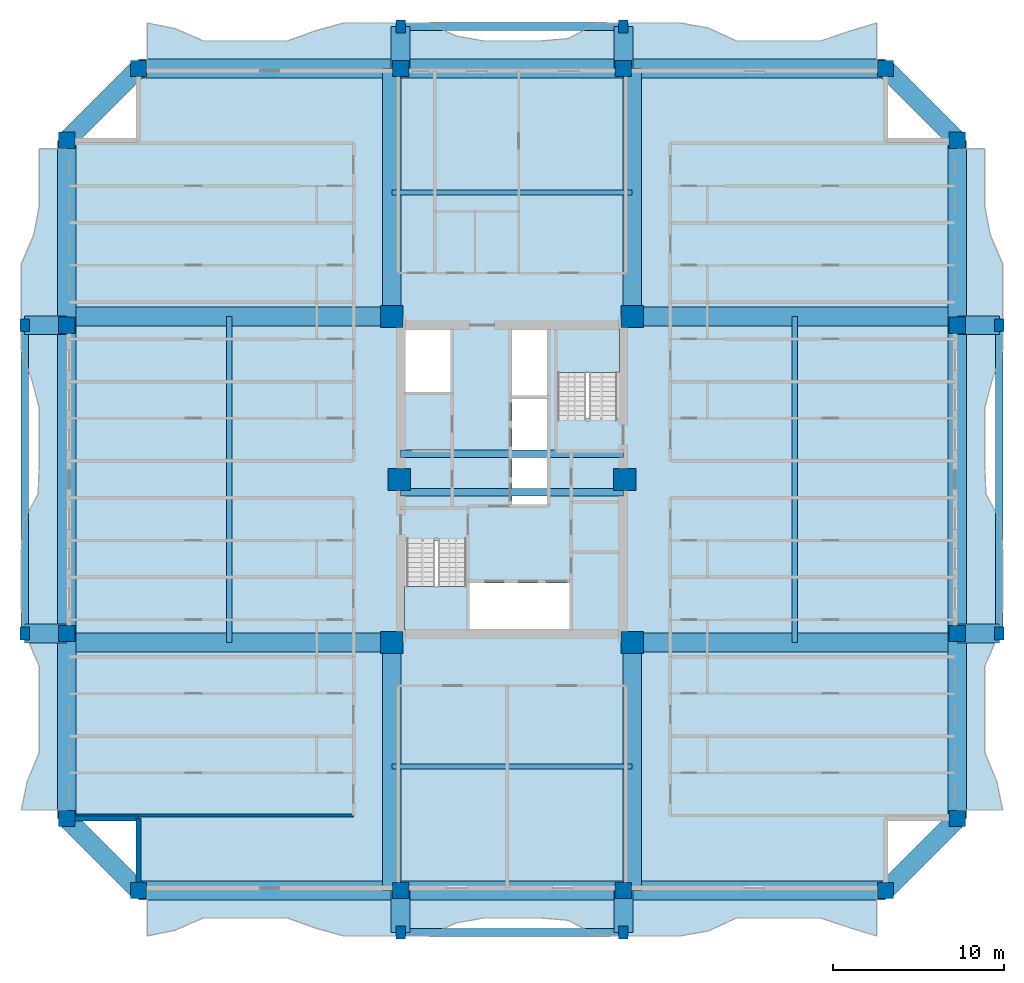
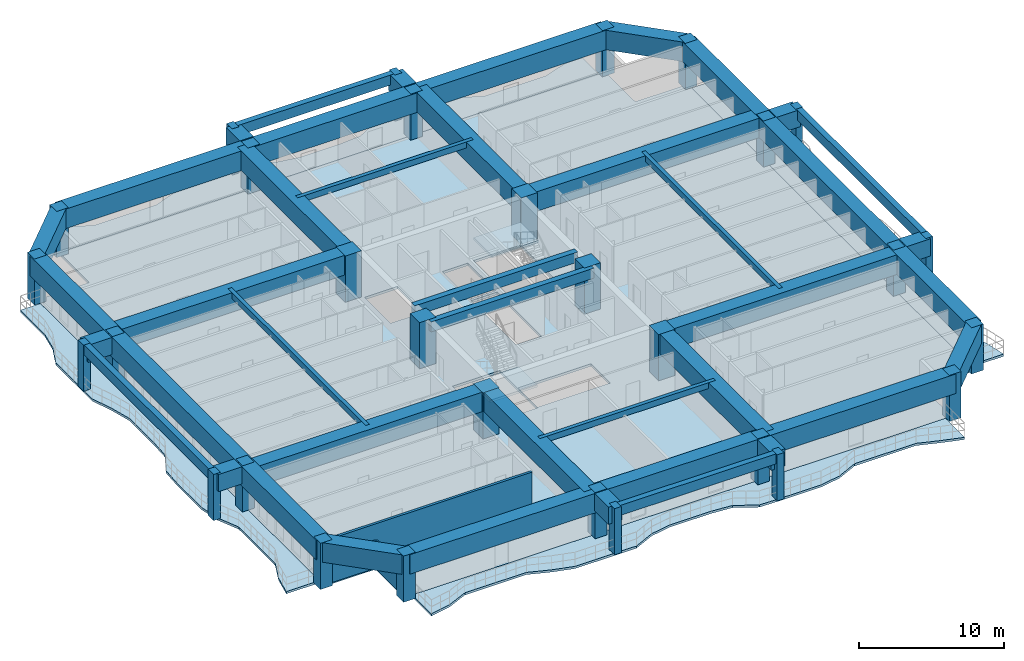
# One storey, part 1 of 13: 42 beams, 30 columns, 7 slabs, 3 walls, 2 elements without a shape of their own.
"""IFC4 building model written with IfcOpenShell, lengths in metres."""

from ifc_helpers import new_model, si_unit, direction, frame, frame_2d, origin, origin_2d, place, context, subcontext, project, spatial, polyline, rectangle, outline, extrude, source, transform, mapped, material, layer, layer_set, material_profile, profile_set, type_object, element, aggregate, save


model = new_model("IFC4")

# Units and contexts
model_context = context("Model", 3, precision=1e-05, world=origin(), true_north=direction((0.0, 1.0)))
body_context = subcontext(model_context, "Body", "Model", "MODEL_VIEW")
ifc_project = project(units=[si_unit("LENGTHUNIT", "METRE"), si_unit("AREAUNIT", "SQUARE_METRE"), si_unit("VOLUMEUNIT", "CUBIC_METRE"), si_unit("PLANEANGLEUNIT", "RADIAN"), si_unit("MASSUNIT", "GRAM", prefix="KILO")], contexts=[model_context])

# Site, building, storey
site_placement = place(None, origin())
site = spatial("IfcSite", under=ifc_project, at=site_placement, CompositionType="ELEMENT")
building_placement = place(site_placement, origin())
building = spatial("IfcBuilding", under=site, at=building_placement, Name="Saelheon Loggia Tower", CompositionType="ELEMENT")
storey_placement = place(building_placement, frame((0.0, 0.0, 122.85009765625)))
storey = spatial("IfcBuildingStorey", under=building, at=storey_placement, Name="L39", CompositionType="ELEMENT", Elevation=122.85009765625)

# Columns
ifc_material_1 = material(Name="Concrete C60/75", Category="concrete")
ifc_material_profile_1 = material_profile(ifc_material_1, rectangle(XDim=1.300048828125, YDim=1.300048828125, at=origin_2d()), Name="RC-1300x1300")
ifc_profile_set_1 = profile_set([ifc_material_profile_1], Name="Concrete C60/75")
column_type_1 = type_object("IfcColumnType", Name="Col_Core_RC1300", PredefinedType="COLUMN", material=ifc_profile_set_1)
shared_shape_1 = source(origin(), body_context, "Body", "SweptSolid", [
    extrude(rectangle(XDim=1.300048828125, YDim=1.300048828125, at=origin_2d()), origin(), (0.0, 0.0, 1.0), 3.89990234375),
])
for number, where, z_axis, x_axis, name in (
    (1, (30.97998046875, 17.47998046875, 0.0), (0.0, 0.0, 1.0), (1.0, 0.0, 0.0), "L39 Core Column CR-SW"),
    (2, (45.02001953125, 17.47998046875, 0.0), (0.0, 0.0, 1.0), (1.0, 0.0, 0.0), "L39 Core Column CR-SE"),
    (3, (30.97998046875, 36.52001953125, 0.0), (0.0, 0.0, 1.0), (1.0, 0.0, 0.0), "L39 Core Column CR-NW"),
    (4, (45.02001953125, 36.52001953125, 0.0), (0.0, 0.0, 1.0), (1.0, 0.0, 0.0), "L39 Core Column CR-NE"),
    (5, (31.419921875, 27.0, 0.0), (0.0, 0.0, 1.0), (1.0, 0.0, 0.0), "L39 Core Column CR-MW"),
    (6, (44.580078125, 27.0, 0.0), (0.0, 0.0, 1.0), (1.0, 0.0, 0.0), "L39 Core Column CR-ME"),
):
    element("IfcColumn", number, at=place(storey_placement, frame(where, z_axis=z_axis, x_axis=x_axis)), inside=storey, type_object=column_type_1, Name=name, PredefinedType="COLUMN", context=body_context, shape_type="MappedRepresentation", body=[
        mapped(shared_shape_1, transform((0.0, 0.0, 0.0), scale=1.0)),
    ])
ifc_material_2 = material(Name="Concrete C50/60", Category="concrete")
ifc_material_profile_2 = material_profile(ifc_material_2, rectangle(XDim=0.949951171875, YDim=0.949951171875, at=origin_2d()), Name="RC-950x950")
ifc_profile_set_2 = profile_set([ifc_material_profile_2], Name="Concrete C50/60")
column_type_2 = type_object("IfcColumnType", Name="Col_Perim_RC950", PredefinedType="COLUMN", material=ifc_profile_set_2)
shared_shape_2 = source(origin(), body_context, "Body", "SweptSolid", [
    extrude(rectangle(XDim=0.949951171875, YDim=0.949951171875, at=origin_2d()), origin(), (0.0, 0.0, 1.0), 3.89990234375),
])
for number, where, z_axis, x_axis, name in (
    (7, (16.199951171875, 3.0, 0.0), (0.0, 0.0, 1.0), (1.0, 0.0, 0.0), "L39 Perimeter Column TP-S1"),
    (8, (31.5, 3.0, 0.0), (0.0, 0.0, 1.0), (1.0, 0.0, 0.0), "L39 Perimeter Column TP-SA"),
    (9, (44.5, 3.0, 0.0), (0.0, 0.0, 1.0), (1.0, 0.0, 0.0), "L39 Perimeter Column TP-SB"),
    (10, (59.800048828125, 3.0, 0.0), (0.0, 0.0, 1.0), (1.0, 0.0, 0.0), "L39 Perimeter Column TP-S2"),
    (11, (64.0, 7.199951171875, 0.0), (0.0, 0.0, 1.0), (1.0, 0.0, 0.0), "L39 Perimeter Column TP-E1"),
    (12, (64.0, 18.0, 0.0), (0.0, 0.0, 1.0), (1.0, 0.0, 0.0), "L39 Perimeter Column TP-EA"),
    (13, (64.0, 36.0, 0.0), (0.0, 0.0, 1.0), (1.0, 0.0, 0.0), "L39 Perimeter Column TP-EB"),
    (14, (64.0, 46.800048828125, 0.0), (0.0, 0.0, 1.0), (1.0, 0.0, 0.0), "L39 Perimeter Column TP-E2"),
    (15, (59.800048828125, 51.0, 0.0), (0.0, 0.0, 1.0), (1.0, 0.0, 0.0), "L39 Perimeter Column TP-N2"),
    (16, (44.5, 51.0, 0.0), (0.0, 0.0, 1.0), (1.0, 0.0, 0.0), "L39 Perimeter Column TP-NB"),
    (17, (31.5, 51.0, 0.0), (0.0, 0.0, 1.0), (1.0, 0.0, 0.0), "L39 Perimeter Column TP-NA"),
    (18, (16.199951171875, 51.0, 0.0), (0.0, 0.0, 1.0), (1.0, 0.0, 0.0), "L39 Perimeter Column TP-N1"),
    (19, (12.0, 46.800048828125, 0.0), (0.0, 0.0, 1.0), (1.0, 0.0, 0.0), "L39 Perimeter Column TP-W2"),
    (20, (12.0, 36.0, 0.0), (0.0, 0.0, 1.0), (1.0, 0.0, 0.0), "L39 Perimeter Column TP-WB"),
    (21, (12.0, 18.0, 0.0), (0.0, 0.0, 1.0), (1.0, 0.0, 0.0), "L39 Perimeter Column TP-WA"),
    (22, (12.0, 7.199951171875, 0.0), (0.0, 0.0, 1.0), (1.0, 0.0, 0.0), "L39 Perimeter Column TP-W1"),
):
    element("IfcColumn", number, at=place(storey_placement, frame(where, z_axis=z_axis, x_axis=x_axis)), inside=storey, type_object=column_type_2, Name=name, PredefinedType="COLUMN", context=body_context, shape_type="MappedRepresentation", body=[
        mapped(shared_shape_2, transform((0.0, 0.0, 0.0), scale=1.0)),
    ])
ifc_material_3 = material(Name="Precast Concrete C45/55", Category="concrete")
ifc_material_profile_3 = material_profile(ifc_material_3, rectangle(XDim=0.550048828125, YDim=0.75, at=origin_2d()), Name="RC-550x750")
ifc_profile_set_3 = profile_set([ifc_material_profile_3], Name="Precast Concrete C45/55")
column_type_3 = type_object("IfcColumnType", Name="Col_Loggia_Pilaster_750", PredefinedType="PILASTER", material=ifc_profile_set_3)
shared_shape_3 = source(origin(), body_context, "Body", "SweptSolid", [
    extrude(rectangle(XDim=0.550048828125, YDim=0.75, at=origin_2d()), origin(), (0.0, 0.0, 1.0), 3.89990234375),
])
for number, where, z_axis, x_axis, name in (
    (23, (31.5, 0.550048828125, 0.0), (0.0, 0.0, 1.0), (1.0, 0.0, 0.0), "L39 Loggia Frame Pilaster LP-S1"),
    (24, (44.5, 0.550048828125, 0.0), (0.0, 0.0, 1.0), (1.0, 0.0, 0.0), "L39 Loggia Frame Pilaster LP-S2"),
    (25, (31.5, 53.449951171875, 0.0), (0.0, 0.0, 1.0), (1.0, 0.0, 0.0), "L39 Loggia Frame Pilaster LP-N1"),
    (26, (44.5, 53.449951171875, 0.0), (0.0, 0.0, 1.0), (1.0, 0.0, 0.0), "L39 Loggia Frame Pilaster LP-N2"),
    (27, (66.449951171875, 18.0, 0.0), (0.0, 0.0, 1.0), (1.0, 0.0, 0.0), "L39 Loggia Frame Pilaster LP-E1"),
    (28, (66.449951171875, 36.0, 0.0), (0.0, 0.0, 1.0), (1.0, 0.0, 0.0), "L39 Loggia Frame Pilaster LP-E2"),
    (29, (9.550048828125, 18.0, 0.0), (0.0, 0.0, 1.0), (1.0, 0.0, 0.0), "L39 Loggia Frame Pilaster LP-W1"),
    (30, (9.550048828125, 36.0, 0.0), (0.0, 0.0, 1.0), (1.0, 0.0, 0.0), "L39 Loggia Frame Pilaster LP-W2"),
):
    element("IfcColumn", number, at=place(storey_placement, frame(where, z_axis=z_axis, x_axis=x_axis)), inside=storey, type_object=column_type_3, Name=name, PredefinedType="PILASTER", context=body_context, shape_type="MappedRepresentation", body=[
        mapped(shared_shape_3, transform((0.0, 0.0, 0.0), scale=1.0)),
    ])

# Beams
ifc_material_profile_4 = material_profile(ifc_material_2, rectangle(XDim=0.449951171875, YDim=0.85009765625, at=origin_2d()), Name="RC-450x850")
ifc_profile_set_4 = profile_set([ifc_material_profile_4], Name="Concrete C50/60")
beam_type_1 = type_object("IfcBeamType", Name="Beam_CoreLintel_RC450x850", PredefinedType="LINTEL", material=ifc_profile_set_4)
shared_shape_4 = source(origin(), body_context, "Body", "SweptSolid", [
    extrude(rectangle(XDim=0.449951171875, YDim=0.85009765625, at=origin_2d()), origin(), (0.0, 0.0, 1.0), 13.0),
])
for number, where, z_axis, x_axis, name in (
    (31, (31.5, 26.25, 3.474853515625), (1.0, 0.0, 0.0), (0.0, 1.0, 0.0), "L39 Core Coupling Lintel 1"),
    (32, (31.5, 28.5, 3.474853515625), (1.0, 0.0, 0.0), (0.0, 1.0, 0.0), "L39 Core Coupling Lintel 2"),
):
    element("IfcBeam", number, at=place(storey_placement, frame(where, z_axis=z_axis, x_axis=x_axis)), inside=storey, type_object=beam_type_1, Name=name, PredefinedType="LINTEL", context=body_context, shape_type="MappedRepresentation", body=[
        mapped(shared_shape_4, transform((0.0, 0.0, 0.0), scale=1.0)),
    ])
ifc_material_profile_5 = material_profile(ifc_material_3, rectangle(XDim=0.449951171875, YDim=0.85009765625, at=origin_2d()), Name="RC-450x850")
ifc_profile_set_5 = profile_set([ifc_material_profile_5], Name="Precast Concrete C45/55")
beam_type_2 = type_object("IfcBeamType", Name="Beam_LoggiaSpandrel_RC450x850", PredefinedType="SPANDREL", material=ifc_profile_set_5)
for number, where, z_axis, x_axis, name in (
    (33, (31.5, 0.550048828125, 3.474853515625), (1.0, 0.0, 0.0), (0.0, 1.0, 0.0), "L39 Loggia Spandrel Beam S"),
    (34, (31.5, 53.449951171875, 3.474853515625), (1.0, 0.0, 0.0), (0.0, 1.0, 0.0), "L39 Loggia Spandrel Beam N"),
):
    element("IfcBeam", number, at=place(storey_placement, frame(where, z_axis=z_axis, x_axis=x_axis)), inside=storey, type_object=beam_type_2, Name=name, PredefinedType="SPANDREL", context=body_context, shape_type="MappedRepresentation", body=[
        mapped(shared_shape_4, transform((0.0, 0.0, 0.0), scale=1.0)),
    ])
ifc_material_profile_6 = material_profile(ifc_material_2, rectangle(XDim=1.10009765625, YDim=1.449951171875, at=origin_2d()), Name="RC-1100x1450")
ifc_profile_set_6 = profile_set([ifc_material_profile_6], Name="Concrete C50/60")
beam_type_3 = type_object("IfcBeamType", Name="Beam_PerimTransfer_RC1100x1450", PredefinedType="BEAM", material=ifc_profile_set_6)
shared_shape_5 = source(origin(), body_context, "Body", "SweptSolid", [
    extrude(rectangle(XDim=1.10009765625, YDim=1.449951171875, at=origin_2d()), origin(), (0.0, 0.0, 1.0), 2.449951171875),
])
for number, where, z_axis, x_axis, name in (
    (35, (31.5, 3.0, 3.1748046875), (0.0, -1.0, 0.0), (1.0, 0.0, 0.0), "L39 Loggia Frame Tie Beam LP-S1"),
    (36, (44.5, 3.0, 3.1748046875), (0.0, -1.0, 0.0), (1.0, 0.0, 0.0), "L39 Loggia Frame Tie Beam LP-S2"),
    (37, (31.5, 51.0, 3.1748046875), (0.0, 1.0, 0.0), (-1.0, 0.0, 0.0), "L39 Loggia Frame Tie Beam LP-N1"),
    (38, (44.5, 51.0, 3.1748046875), (0.0, 1.0, 0.0), (-1.0, 0.0, 0.0), "L39 Loggia Frame Tie Beam LP-N2"),
    (39, (64.0, 18.0, 3.1748046875), (1.0, 0.0, 0.0), (0.0, 1.0, 0.0), "L39 Loggia Frame Tie Beam LP-E1"),
    (40, (64.0, 36.0, 3.1748046875), (1.0, 0.0, 0.0), (0.0, 1.0, 0.0), "L39 Loggia Frame Tie Beam LP-E2"),
    (41, (12.0, 18.0, 3.1748046875), (-1.0, 0.0, 0.0), (0.0, -1.0, 0.0), "L39 Loggia Frame Tie Beam LP-W1"),
    (42, (12.0, 36.0, 3.1748046875), (-1.0, 0.0, 0.0), (0.0, -1.0, 0.0), "L39 Loggia Frame Tie Beam LP-W2"),
):
    element("IfcBeam", number, at=place(storey_placement, frame(where, z_axis=z_axis, x_axis=x_axis)), inside=storey, type_object=beam_type_3, Name=name, PredefinedType="BEAM", context=body_context, shape_type="MappedRepresentation", body=[
        mapped(shared_shape_5, transform((0.0, 0.0, 0.0), scale=1.0)),
    ])
shared_shape_6 = source(origin(), body_context, "Body", "SweptSolid", [
    extrude(rectangle(XDim=0.449951171875, YDim=0.85009765625, at=origin_2d()), origin(), (0.0, 0.0, 1.0), 18.0),
])
for number, where, z_axis, x_axis, name in (
    (43, (66.449951171875, 18.0, 3.474853515625), (0.0, 1.0, 0.0), (-1.0, 0.0, 0.0), "L39 Loggia Spandrel Beam E"),
    (44, (9.550048828125, 18.0, 3.474853515625), (0.0, 1.0, 0.0), (-1.0, 0.0, 0.0), "L39 Loggia Spandrel Beam W"),
):
    element("IfcBeam", number, at=place(storey_placement, frame(where, z_axis=z_axis, x_axis=x_axis)), inside=storey, type_object=beam_type_2, Name=name, PredefinedType="SPANDREL", context=body_context, shape_type="MappedRepresentation", body=[
        mapped(shared_shape_6, transform((0.0, 0.0, 0.0), scale=1.0)),
    ])
ifc_material_profile_7 = material_profile(ifc_material_2, rectangle(XDim=1.10009765625, YDim=1.64990234375, at=origin_2d()), Name="RC-1100x1650")
ifc_profile_set_7 = profile_set([ifc_material_profile_7], Name="Concrete C50/60")
beam_type_4 = type_object("IfcBeamType", Name="Beam_PerimMega_RC1100x1650", PredefinedType="BEAM", material=ifc_profile_set_7)
shared_shape_7 = source(origin(), body_context, "Body", "SweptSolid", [
    extrude(rectangle(XDim=1.10009765625, YDim=1.64990234375, at=origin_2d()), origin(), (0.0, 0.0, 1.0), 13.0),
])
for number, where, z_axis, x_axis, name in (
    (45, (31.5, 3.0, 3.074951171875), (1.0, 0.0, 0.0), (0.0, 1.0, 0.0), "L39 Perimeter Frame Girder 02"),
    (46, (44.5, 51.0, 3.074951171875), (-1.0, 0.0, 0.0), (0.0, -1.0, 0.0), "L39 Perimeter Frame Girder 10"),
):
    element("IfcBeam", number, at=place(storey_placement, frame(where, z_axis=z_axis, x_axis=x_axis)), inside=storey, type_object=beam_type_4, Name=name, PredefinedType="BEAM", context=body_context, shape_type="MappedRepresentation", body=[
        mapped(shared_shape_7, transform((0.0, 0.0, 0.0), scale=1.0)),
    ])
shared_shape_8 = source(origin(), body_context, "Body", "SweptSolid", [
    extrude(rectangle(XDim=1.10009765625, YDim=1.64990234375, at=origin_2d()), origin(), (0.0, 0.0, 1.0), 18.0),
])
for number, where, z_axis, x_axis, name in (
    (47, (64.0, 18.0, 3.074951171875), (0.0, 1.0, 0.0), (-1.0, 0.0, 0.0), "L39 Perimeter Frame Girder 06"),
    (48, (12.0, 36.0, 3.074951171875), (0.0, -1.0, 0.0), (1.0, 0.0, 0.0), "L39 Perimeter Frame Girder 14"),
):
    element("IfcBeam", number, at=place(storey_placement, frame(where, z_axis=z_axis, x_axis=x_axis)), inside=storey, type_object=beam_type_4, Name=name, PredefinedType="BEAM", context=body_context, shape_type="MappedRepresentation", body=[
        mapped(shared_shape_8, transform((0.0, 0.0, 0.0), scale=1.0)),
    ])
ifc_material_profile_8 = material_profile(ifc_material_2, rectangle(XDim=1.10009765625, YDim=1.64990234375, at=origin_2d()), Name="RC-1100x1650")
ifc_profile_set_8 = profile_set([ifc_material_profile_8], Name="Concrete C50/60")
beam_type_5 = type_object("IfcBeamType", Name="Beam_MegaTransfer_RC1100x1650", PredefinedType="BEAM", material=ifc_profile_set_8)
shared_shape_9 = source(origin(), body_context, "Body", "SweptSolid", [
    extrude(rectangle(XDim=1.10009765625, YDim=1.64990234375, at=origin_2d()), origin(), (0.0, 0.0, 1.0), 14.47998046875),
])
for number, where, z_axis, x_axis, name in (
    (49, (30.97998046875, 17.47998046875, 3.074951171875), (0.0, -1.0, 0.0), (1.0, 0.0, 0.0), "L39 Radial Floor Girder RAD-SW-S"),
    (50, (45.02001953125, 17.47998046875, 3.074951171875), (0.0, -1.0, 0.0), (1.0, 0.0, 0.0), "L39 Radial Floor Girder RAD-SE-S"),
    (51, (30.97998046875, 36.52001953125, 3.074951171875), (0.0, 1.0, 0.0), (-1.0, 0.0, 0.0), "L39 Radial Floor Girder RAD-NW-N"),
    (52, (45.02001953125, 36.52001953125, 3.074951171875), (0.0, 1.0, 0.0), (-1.0, 0.0, 0.0), "L39 Radial Floor Girder RAD-NE-N"),
):
    element("IfcBeam", number, at=place(storey_placement, frame(where, z_axis=z_axis, x_axis=x_axis)), inside=storey, type_object=beam_type_5, Name=name, PredefinedType="BEAM", context=body_context, shape_type="MappedRepresentation", body=[
        mapped(shared_shape_9, transform((0.0, 0.0, 0.0), scale=1.0)),
    ])
shared_shape_10 = source(origin(), body_context, "Body", "SweptSolid", [
    extrude(rectangle(XDim=1.10009765625, YDim=1.64990234375, at=origin_2d()), origin(), (0.0, 0.0, 1.0), 18.97998046875),
])
for number, where, z_axis, x_axis, name in (
    (53, (30.97998046875, 17.47998046875, 3.074951171875), (-1.0, 0.0, 0.0), (0.0, -1.0, 0.0), "L39 Radial Floor Girder RAD-SW-W"),
    (54, (30.97998046875, 36.52001953125, 3.074951171875), (-1.0, 0.0, 0.0), (0.0, -1.0, 0.0), "L39 Radial Floor Girder RAD-NW-W"),
    (55, (45.02001953125, 17.47998046875, 3.074951171875), (1.0, 0.0, 0.0), (0.0, 1.0, 0.0), "L39 Radial Floor Girder RAD-SE-E"),
    (56, (45.02001953125, 36.52001953125, 3.074951171875), (1.0, 0.0, 0.0), (0.0, 1.0, 0.0), "L39 Radial Floor Girder RAD-NE-E"),
):
    element("IfcBeam", number, at=place(storey_placement, frame(where, z_axis=z_axis, x_axis=x_axis)), inside=storey, type_object=beam_type_5, Name=name, PredefinedType="BEAM", context=body_context, shape_type="MappedRepresentation", body=[
        mapped(shared_shape_10, transform((0.0, 0.0, 0.0), scale=1.0)),
    ])
ifc_material_4 = material(Name="Concrete C40/50", Category="concrete")
ifc_material_profile_9 = material_profile(ifc_material_4, rectangle(XDim=0.300048828125, YDim=0.5, at=origin_2d()), Name="RC-300x500")
ifc_profile_set_9 = profile_set([ifc_material_profile_9], Name="Concrete C40/50")
beam_type_6 = type_object("IfcBeamType", Name="Beam_Joist_RC300x500", PredefinedType="JOIST", material=ifc_profile_set_9)
shared_shape_11 = source(origin(), body_context, "Body", "SweptSolid", [
    extrude(rectangle(XDim=0.300048828125, YDim=0.5, at=origin_2d()), origin(), (0.0, 0.0, 1.0), 14.0400390625),
])
for number, where, z_axis, x_axis, name in (
    (57, (30.97998046875, 10.239990234375, 3.64990234375), (1.0, 0.0, 0.0), (0.0, 1.0, 0.0), "L39 South Floor Joist"),
    (58, (30.97998046875, 43.760009765625, 3.64990234375), (1.0, 0.0, 0.0), (0.0, 1.0, 0.0), "L39 North Floor Joist"),
):
    element("IfcBeam", number, at=place(storey_placement, frame(where, z_axis=z_axis, x_axis=x_axis)), inside=storey, type_object=beam_type_6, Name=name, PredefinedType="JOIST", context=body_context, shape_type="MappedRepresentation", body=[
        mapped(shared_shape_11, transform((0.0, 0.0, 0.0), scale=1.0)),
    ])
shared_shape_12 = source(origin(), body_context, "Body", "SweptSolid", [
    extrude(rectangle(XDim=0.300048828125, YDim=0.5, at=origin_2d()), origin(), (0.0, 0.0, 1.0), 19.0400390625),
])
for number, where, z_axis, x_axis, name in (
    (59, (21.489990234375, 17.47998046875, 3.64990234375), (0.0, 1.0, 0.0), (-1.0, 0.0, 0.0), "L39 West Floor Joist"),
    (60, (54.510009765625, 17.47998046875, 3.64990234375), (0.0, 1.0, 0.0), (-1.0, 0.0, 0.0), "L39 East Floor Joist"),
):
    element("IfcBeam", number, at=place(storey_placement, frame(where, z_axis=z_axis, x_axis=x_axis)), inside=storey, type_object=beam_type_6, Name=name, PredefinedType="JOIST", context=body_context, shape_type="MappedRepresentation", body=[
        mapped(shared_shape_12, transform((0.0, 0.0, 0.0), scale=1.0)),
    ])
shared_shape_13 = source(origin(), body_context, "Body", "SweptSolid", [
    extrude(rectangle(XDim=1.10009765625, YDim=1.64990234375, at=origin_2d()), origin(), (0.0, 0.0, 1.0), 15.300048828125),
])
for number, where, z_axis, x_axis, name in (
    (61, (16.199951171875, 3.0, 3.074951171875), (1.0, 0.0, 0.0), (0.0, 1.0, 0.0), "L39 Perimeter Frame Girder 01"),
    (62, (44.5, 3.0, 3.074951171875), (1.0, 0.0, 0.0), (0.0, 1.0, 0.0), "L39 Perimeter Frame Girder 03"),
    (63, (59.800048828125, 51.0, 3.074951171875), (-1.0, 0.0, 0.0), (0.0, -1.0, 0.0), "L39 Perimeter Frame Girder 09"),
    (64, (31.5, 51.0, 3.074951171875), (-1.0, 0.0, 0.0), (0.0, -1.0, 0.0), "L39 Perimeter Frame Girder 11"),
):
    element("IfcBeam", number, at=place(storey_placement, frame(where, z_axis=z_axis, x_axis=x_axis)), inside=storey, type_object=beam_type_4, Name=name, PredefinedType="BEAM", context=body_context, shape_type="MappedRepresentation", body=[
        mapped(shared_shape_13, transform((0.0, 0.0, 0.0), scale=1.0)),
    ])
shared_shape_14 = source(origin(), body_context, "Body", "SweptSolid", [
    extrude(rectangle(XDim=1.10009765625, YDim=1.64990234375, at=origin_2d()), origin(), (0.0, 0.0, 1.0), 5.939697265625),
])
for number, where, z_axis, x_axis, name in (
    (65, (59.800048828125, 3.0, 3.074951171875), (0.707106781187, 0.707106781187, 0.0), (-0.707106781187, 0.707106781187, 0.0), "L39 Perimeter Frame Girder 04"),
    (66, (64.0, 46.800048828125, 3.074951171875), (-0.707106781187, 0.707106781187, 0.0), (-0.707106781187, -0.707106781187, 0.0), "L39 Perimeter Frame Girder 08"),
    (67, (16.199951171875, 51.0, 3.074951171875), (-0.707106781187, -0.707106781187, 0.0), (0.707106781187, -0.707106781187, 0.0), "L39 Perimeter Frame Girder 12"),
    (68, (12.0, 7.199951171875, 3.074951171875), (0.707106781187, -0.707106781187, 0.0), (0.707106781187, 0.707106781187, 0.0), "L39 Perimeter Frame Girder 16"),
):
    element("IfcBeam", number, at=place(storey_placement, frame(where, z_axis=z_axis, x_axis=x_axis)), inside=storey, type_object=beam_type_4, Name=name, PredefinedType="BEAM", context=body_context, shape_type="MappedRepresentation", body=[
        mapped(shared_shape_14, transform((0.0, 0.0, 0.0), scale=1.0)),
    ])
shared_shape_15 = source(origin(), body_context, "Body", "SweptSolid", [
    extrude(rectangle(XDim=1.10009765625, YDim=1.64990234375, at=origin_2d()), origin(), (0.0, 0.0, 1.0), 10.800048828125),
])
for number, where, z_axis, x_axis, name in (
    (69, (64.0, 7.199951171875, 3.074951171875), (0.0, 1.0, 0.0), (-1.0, 0.0, 0.0), "L39 Perimeter Frame Girder 05"),
    (70, (64.0, 36.0, 3.074951171875), (0.0, 1.0, 0.0), (-1.0, 0.0, 0.0), "L39 Perimeter Frame Girder 07"),
    (71, (12.0, 46.800048828125, 3.074951171875), (0.0, -1.0, 0.0), (1.0, 0.0, 0.0), "L39 Perimeter Frame Girder 13"),
    (72, (12.0, 18.0, 3.074951171875), (0.0, -1.0, 0.0), (1.0, 0.0, 0.0), "L39 Perimeter Frame Girder 15"),
):
    element("IfcBeam", number, at=place(storey_placement, frame(where, z_axis=z_axis, x_axis=x_axis)), inside=storey, type_object=beam_type_4, Name=name, PredefinedType="BEAM", context=body_context, shape_type="MappedRepresentation", body=[
        mapped(shared_shape_15, transform((0.0, 0.0, 0.0), scale=1.0)),
    ])

# Slabs
ifc_layer_1 = layer(ifc_material_3, 0.18994140625)
ifc_layer_set_1 = layer_set([ifc_layer_1], Name="Precast Concrete C45/55")
slab_type_1 = type_object("IfcSlabType", Name="Slab_Loggia_Ext_190", PredefinedType="FLOOR", material=ifc_layer_set_1)
slab_1_placement = place(storey_placement, frame((0.0, 0.0, -0.190185546875)))
element("IfcSlab", 73, at=slab_1_placement, inside=storey, type_object=slab_type_1, Name="L39 Loggia Balcony Slab S", PredefinedType="FLOOR", context=body_context, shape_type="SweptSolid", body=[
    extrude(outline(polyline([(16.699951171875, 0.35009765625), (18.33837890625, 0.680908203125), (19.976806640625, 1.39990234375), (21.615478515625, 1.39990234375), (23.25390625, 1.39990234375), (24.892333984375, 1.39990234375), (26.53076171875, 0.80615234375), (28.169189453125, 0.35009765625), (29.8076171875, 0.35009765625), (31.4462890625, 0.35009765625), (33.084716796875, 0.35009765625), (34.72314453125, 1.105712890625), (36.361572265625, 1.39990234375), (38.0, 1.39990234375), (39.638427734375, 1.39990234375), (41.27685546875, 1.263671875), (42.915283203125, 0.388916015625), (44.5537109375, 0.35009765625), (46.1923828125, 0.35009765625), (47.830810546875, 0.35009765625), (49.46923828125, 0.643798828125), (51.107666015625, 1.39990234375), (52.74609375, 1.39990234375), (54.384521484375, 1.39990234375), (56.023193359375, 1.39990234375), (57.66162109375, 0.84375), (59.300048828125, 0.35009765625), (59.300048828125, 3.0), (16.699951171875, 3.0), (16.699951171875, 0.35009765625)])), origin(), (0.0, 0.0, 1.0), 0.190185546875),
])
slab_2_placement = place(storey_placement, frame((0.0, 0.0, -0.190185546875)))
element("IfcSlab", 74, at=slab_2_placement, inside=storey, type_object=slab_type_1, Name="L39 Loggia Balcony Slab N", PredefinedType="FLOOR", context=body_context, shape_type="SweptSolid", body=[
    extrude(outline(polyline([(16.699951171875, 51.0), (59.300048828125, 51.0), (59.300048828125, 53.64990234375), (57.66162109375, 53.15625), (56.023193359375, 52.60009765625), (54.384521484375, 52.60009765625), (52.74609375, 52.60009765625), (51.107666015625, 52.60009765625), (49.46923828125, 53.356201171875), (47.830810546875, 53.64990234375), (46.1923828125, 53.64990234375), (44.5537109375, 53.64990234375), (42.915283203125, 53.611083984375), (41.27685546875, 52.736328125), (39.638427734375, 52.60009765625), (38.0, 52.60009765625), (36.361572265625, 52.60009765625), (34.72314453125, 52.894287109375), (33.084716796875, 53.64990234375), (31.4462890625, 53.64990234375), (29.8076171875, 53.64990234375), (28.169189453125, 53.64990234375), (26.53076171875, 53.19384765625), (24.892333984375, 52.60009765625), (23.25390625, 52.60009765625), (21.615478515625, 52.60009765625), (19.976806640625, 52.60009765625), (18.33837890625, 53.319091796875), (16.699951171875, 53.64990234375), (16.699951171875, 51.0)])), origin(), (0.0, 0.0, 1.0), 0.190185546875),
])
slab_3_placement = place(storey_placement, frame((0.0, 0.0, -0.190185546875)))
element("IfcSlab", 75, at=slab_3_placement, inside=storey, type_object=slab_type_1, Name="L39 Loggia Balcony Slab E", PredefinedType="FLOOR", context=body_context, shape_type="SweptSolid", body=[
    extrude(outline(polyline([(64.0, 7.699951171875), (66.64990234375, 7.699951171875), (66.297607421875, 9.37841796875), (65.60009765625, 11.056396484375), (65.60009765625, 12.73486328125), (65.60009765625, 14.4130859375), (65.60009765625, 16.09130859375), (66.3232421875, 17.76953125), (66.64990234375, 19.44775390625), (66.64990234375, 21.126220703125), (66.64990234375, 22.80419921875), (66.560546875, 24.482666015625), (65.665771484375, 26.160888671875), (65.60009765625, 27.839111328125), (65.60009765625, 29.517333984375), (65.60009765625, 31.19580078125), (66.05419921875, 32.873779296875), (66.64990234375, 34.55224609375), (66.64990234375, 36.23046875), (66.64990234375, 37.90869140625), (66.64990234375, 39.5869140625), (65.92529296875, 41.26513671875), (65.60009765625, 42.943603515625), (65.60009765625, 44.62158203125), (65.60009765625, 46.300048828125), (64.0, 46.300048828125), (64.0, 7.699951171875)])), origin(), (0.0, 0.0, 1.0), 0.190185546875),
])
slab_4_placement = place(storey_placement, frame((0.0, 0.0, -0.190185546875)))
element("IfcSlab", 76, at=slab_4_placement, inside=storey, type_object=slab_type_1, Name="L39 Loggia Balcony Slab W", PredefinedType="FLOOR", context=body_context, shape_type="SweptSolid", body=[
    extrude(outline(polyline([(12.0, 7.699951171875), (12.0, 46.300048828125), (10.39990234375, 46.300048828125), (10.39990234375, 44.62158203125), (10.39990234375, 42.943603515625), (10.07470703125, 41.26513671875), (9.35009765625, 39.5869140625), (9.35009765625, 37.90869140625), (9.35009765625, 36.23046875), (9.35009765625, 34.55224609375), (9.94580078125, 32.873779296875), (10.39990234375, 31.19580078125), (10.39990234375, 29.517333984375), (10.39990234375, 27.839111328125), (10.334228515625, 26.160888671875), (9.439453125, 24.482666015625), (9.35009765625, 22.80419921875), (9.35009765625, 21.126220703125), (9.35009765625, 19.44775390625), (9.6767578125, 17.76953125), (10.39990234375, 16.09130859375), (10.39990234375, 14.4130859375), (10.39990234375, 12.73486328125), (10.39990234375, 11.056396484375), (9.702392578125, 9.37841796875), (9.35009765625, 7.699951171875), (12.0, 7.699951171875)])), origin(), (0.0, 0.0, 1.0), 0.190185546875),
])

# Stair, slab
stair_type = type_object("IfcStairType", Name="Stair_Escape_Core", PredefinedType="HALF_TURN_STAIR", material=ifc_material_4)
stair_1_placement = place(storey_placement, origin())
stair_1 = element("IfcStair", 77, at=stair_1_placement, inside=storey, type_object=stair_type, Name="L39 Special Escape Stair ST1", PredefinedType="HALF_TURN_STAIR")
ifc_layer_2 = layer(ifc_material_4, 0.199951171875)
ifc_layer_set_2 = layer_set([ifc_layer_2], Name="Concrete C40/50")
slab_type_2 = type_object("IfcSlabType", Name="Slab_StairLanding_ST1", PredefinedType="LANDING", material=ifc_layer_set_2)
slab_5_placement = place(storey_placement, frame((0.0, 0.0, 1.75)))
slab_5 = element("IfcSlab", 78, at=slab_5_placement, type_object=slab_type_2, Name="ST1 landing 1", PredefinedType="LANDING", context=body_context, shape_type="SweptSolid", body=[
    extrude(outline(polyline([(31.7099609375, 20.75), (31.7099609375, 18.2099609375), (35.469970703125, 18.2099609375), (35.469970703125, 20.75), (31.7099609375, 20.75)])), origin(), (0.0, 0.0, 1.0), 0.199951171875),
])
aggregate(stair_1, [slab_5])

stair_2_placement = place(storey_placement, origin())
stair_2 = element("IfcStair", 79, at=stair_2_placement, inside=storey, type_object=stair_type, Name="L39 Special Escape Stair ST2", PredefinedType="HALF_TURN_STAIR")
ifc_layer_3 = layer(ifc_material_4, 0.199951171875)
ifc_layer_set_3 = layer_set([ifc_layer_3], Name="Concrete C40/50")
slab_type_3 = type_object("IfcSlabType", Name="Slab_StairLanding_ST2", PredefinedType="LANDING", material=ifc_layer_set_3)
slab_6_placement = place(storey_placement, frame((0.0, 0.0, 1.75)))
slab_6 = element("IfcSlab", 80, at=slab_6_placement, type_object=slab_type_3, Name="ST2 landing 1", PredefinedType="LANDING", context=body_context, shape_type="SweptSolid", body=[
    extrude(outline(polyline([(44.2900390625, 33.25), (44.2900390625, 35.7900390625), (40.530029296875, 35.7900390625), (40.530029296875, 33.25), (44.2900390625, 33.25)])), origin(), (0.0, 0.0, 1.0), 0.199951171875),
])
aggregate(stair_2, [slab_6])

# Slab
ifc_layer_4 = layer(ifc_material_4, 0.2099609375)
ifc_layer_set_4 = layer_set([ifc_layer_4], Name="Concrete C40/50")
slab_type_4 = type_object("IfcSlabType", Name="Slab_Tower_210", PredefinedType="FLOOR", material=ifc_layer_set_4)
slab_7_placement = place(storey_placement, frame((0.0, 0.0, -0.210205078125)))
element("IfcSlab", 81, at=slab_7_placement, inside=storey, type_object=slab_type_4, Name="L39 Tower Floor Slab", PredefinedType="FLOOR", context=body_context, shape_type="SweptSolid", body=[
    extrude(outline(polyline([(16.199951171875, 3.0), (59.800048828125, 3.0), (59.800048828125, 7.199951171875), (64.0, 7.199951171875), (64.0, 46.800048828125), (59.800048828125, 46.800048828125), (59.800048828125, 51.0), (16.199951171875, 51.0), (16.199951171875, 46.800048828125), (12.0, 46.800048828125), (12.0, 7.199951171875), (16.199951171875, 7.199951171875), (16.199951171875, 3.0)]), holes=[polyline([(31.699951171875, 23.409912109375), (31.699951171875, 18.199951171875), (35.47998046875, 18.199951171875), (35.47998046875, 23.409912109375), (31.699951171875, 23.409912109375)]), polyline([(44.300048828125, 30.590087890625), (44.300048828125, 35.800048828125), (40.52001953125, 35.800048828125), (40.52001953125, 30.590087890625), (44.300048828125, 30.590087890625)]), polyline([(35.530029296875, 18.27490234375), (41.35009765625, 18.27490234375), (41.35009765625, 20.9599609375), (35.530029296875, 20.9599609375), (35.530029296875, 18.27490234375)]), polyline([(31.77490234375, 32.1201171875), (34.419921875, 32.1201171875), (34.419921875, 35.72509765625), (31.77490234375, 35.72509765625), (31.77490234375, 32.1201171875)]), polyline([(38.0, 31.89990234375), (40.050048828125, 31.89990234375), (40.050048828125, 35.72509765625), (38.0, 35.72509765625), (38.0, 31.89990234375)]), polyline([(38.0, 25.5400390625), (40.050048828125, 25.5400390625), (40.050048828125, 31.699951171875), (38.0, 31.699951171875), (38.0, 25.5400390625)])]), origin(), (0.0, 0.0, 1.0), 0.210205078125),
])

# Walls
ifc_material_5 = material(Name="Architectural Precast Concrete C40/50", Category="concrete")
ifc_layer_5 = layer(ifc_material_5, 0.280029296875)
ifc_layer_set_5 = layer_set([ifc_layer_5], Name="Architectural Precast Concrete C40/50")
wall_type_1 = type_object("IfcWallType", Name="Wall_Ext_Loggia_280", PredefinedType="SOLIDWALL", material=ifc_layer_set_5)
for number, where, z_axis, x_axis, name in (
    (82, (16.199951171875, 3.080078125, 0.0), (0.0, 0.0, 1.0), (0.0, 1.0, 0.0), "L39 Corner Notch Precast Wall SW1"),
    (83, (12.080078125, 7.199951171875, 0.0), (0.0, 0.0, 1.0), (1.0, 0.0, 0.0), "L39 Corner Notch Precast Wall SW2"),
):
    element("IfcWall", number, at=place(storey_placement, frame(where, z_axis=z_axis, x_axis=x_axis)), inside=storey, type_object=wall_type_1, Name=name, PredefinedType="SOLIDWALL", context=body_context, shape_type="SweptSolid", body=[
        extrude(rectangle(XDim=4.119873046875, YDim=0.280029296875, at=frame_2d((2.06005859375, 0.0))), origin(), (0.0, 0.0, 1.0), 2.239990234375),
    ])
ifc_material_6 = material(Name="Double Acoustic Stud and Fireboard Partition", Category="gypsum")
ifc_layer_6 = layer(ifc_material_6, 0.199951171875)
ifc_layer_set_6 = layer_set([ifc_layer_6], Name="Double Acoustic Stud and Fireboard Partition")
wall_type_2 = type_object("IfcWallType", Name="Wall_Party_200", PredefinedType="PARTITIONING", material=ifc_layer_set_6)
wall_placement = place(storey_placement, frame((28.75, 7.3798828125, 0.0), z_axis=(0.0, 0.0, 1.0), x_axis=(-1.0, 0.0, 0.0)))
element("IfcWall", 84, at=wall_placement, inside=storey, type_object=wall_type_2, Name="L39 WS Partition U01", PredefinedType="PARTITIONING", context=body_context, shape_type="SweptSolid", body=[
    extrude(rectangle(XDim=16.60009765625, YDim=0.199951171875, at=frame_2d((8.300048828125, 0.0))), origin(), (0.0, 0.0, 1.0), 3.559814453125),
])

save(model, "model.ifc")
